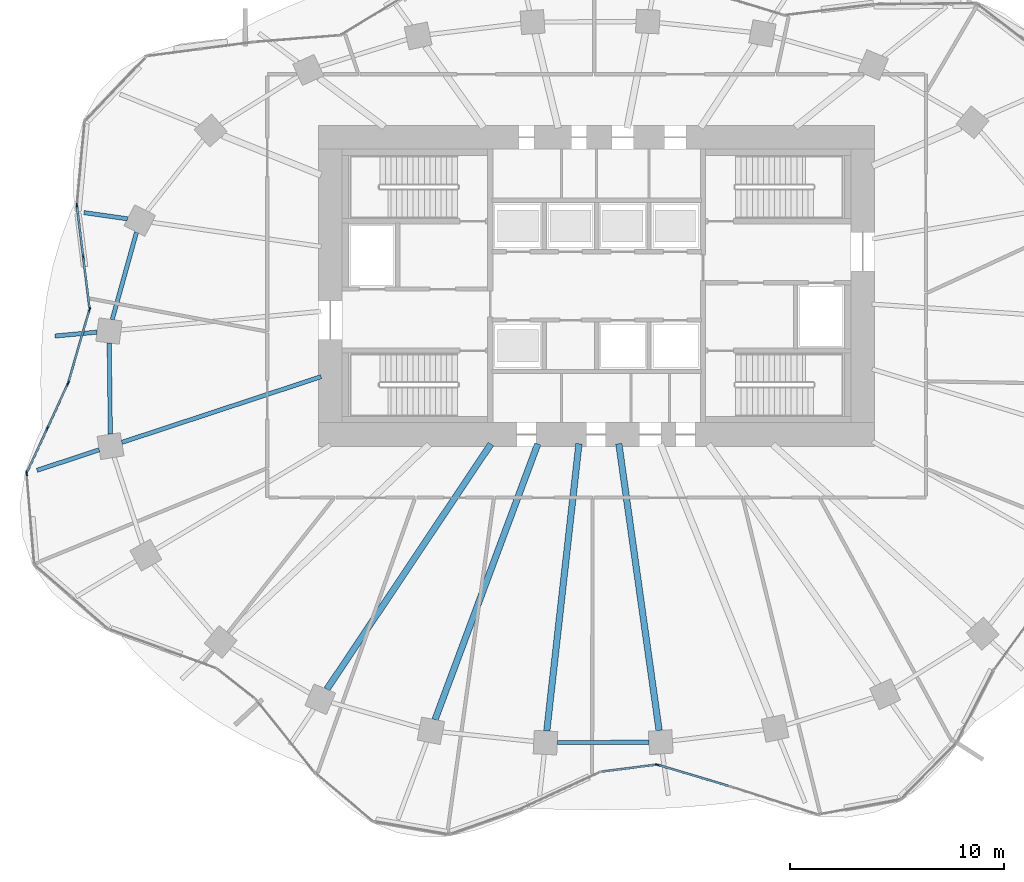
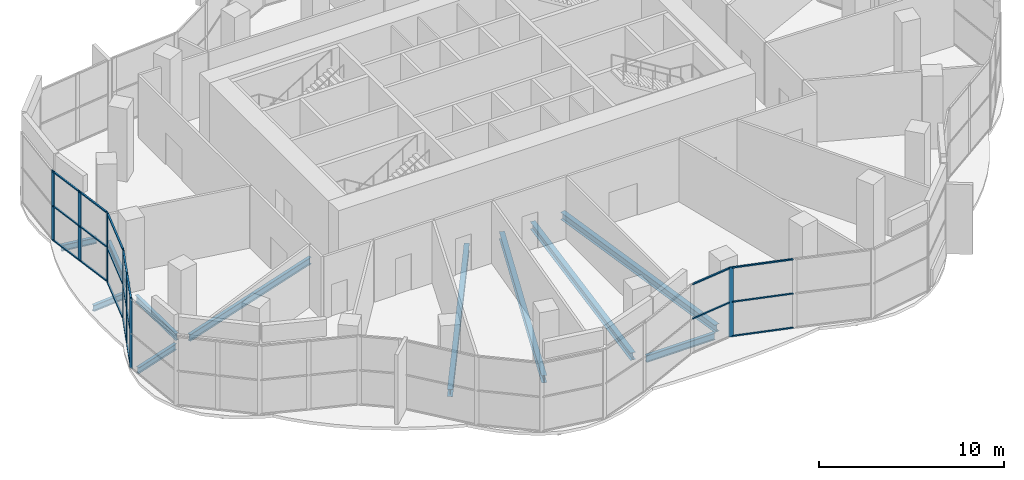
# One storey, part 3 of 16: 27 members, 11 beams, 6 elements without a shape of their own.
"""IFC4 building model written with IfcOpenShell, lengths in metres."""

from ifc_helpers import new_model, si_unit, direction, frame, origin, origin_2d, place, context, subcontext, project, spatial, rectangle, i_section, extrude, material, material_profile, profile_set, type_object, element, aggregate, save


model = new_model("IFC4")

# Units and contexts
model_context = context("Model", 3, precision=1e-05, world=origin(), true_north=direction((0.0, 1.0)))
body_context = subcontext(model_context, "Body", "Model", "MODEL_VIEW")
ifc_project = project(units=[si_unit("LENGTHUNIT", "METRE"), si_unit("AREAUNIT", "SQUARE_METRE"), si_unit("VOLUMEUNIT", "CUBIC_METRE"), si_unit("PLANEANGLEUNIT", "RADIAN"), si_unit("MASSUNIT", "GRAM", prefix="KILO")], contexts=[model_context])

# Site, building, storey
site_placement = place(None, origin())
site = spatial("IfcSite", under=ifc_project, at=site_placement, CompositionType="ELEMENT")
building_placement = place(site_placement, origin())
building = spatial("IfcBuilding", under=site, at=building_placement, Name="Rubra Terraces Tower", CompositionType="ELEMENT")
storey_placement = place(building_placement, frame((0.0, 0.0, 125.699951171875)))
storey = spatial("IfcBuildingStorey", under=building, at=storey_placement, Name="L30", CompositionType="ELEMENT", Elevation=125.699951171875)

# Beams
ifc_material_1 = material(Name="Steel Q355B", Category="steel")
ifc_material_profile_1 = material_profile(ifc_material_1, i_section(OverallWidth=0.199951171875, OverallDepth=0.39990234375, WebThickness=0.008056640625, FlangeThickness=0.012939453125, at=origin_2d()), Name="HN 400x200x8x13")
ifc_profile_set_1 = profile_set([ifc_material_profile_1], Name="Steel Q355B")
beam_type_1 = type_object("IfcBeamType", Name="CANTILEVER BEAM HN 400x200x8x13", PredefinedType="BEAM", material=ifc_profile_set_1)
beam_1_placement = place(storey_placement, frame((-21.94189453125, 7.635986328125, -0.39990234375), z_axis=(-0.989911420912, 0.141687609718, 0.0), x_axis=(-0.141687609718, -0.989911420912, 0.0)))
element("IfcBeam", 1, at=beam_1_placement, inside=storey, type_object=beam_type_1, Name="beam-L30-cant-11", PredefinedType="BEAM", context=body_context, shape_type="SweptSolid", body=[
    extrude(i_section(OverallWidth=0.199951171875, OverallDepth=0.39990234375, WebThickness=0.008056640625, FlangeThickness=0.012939453125, at=origin_2d()), origin(), (0.0, 0.0, 1.0), 2.053955078125),
])
beam_2_placement = place(storey_placement, frame((-23.363037109375, 2.3369140625, -0.39990234375), z_axis=(-0.995752222449, -0.092073402721, 0.0), x_axis=(0.092073402721, -0.995752222449, 0.0)))
element("IfcBeam", 2, at=beam_2_placement, inside=storey, type_object=beam_type_1, Name="beam-L30-cant-12", PredefinedType="BEAM", context=body_context, shape_type="SweptSolid", body=[
    extrude(i_section(OverallWidth=0.199951171875, OverallDepth=0.39990234375, WebThickness=0.008056640625, FlangeThickness=0.012939453125, at=origin_2d()), origin(), (0.0, 0.0, 1.0), 1.975341796875),
])
beam_3_placement = place(storey_placement, frame((-23.262939453125, -3.1669921875, -0.39990234375), z_axis=(-0.949761348488, -0.312975048394, 0.0), x_axis=(0.312975048394, -0.949761348488, 0.0)))
element("IfcBeam", 3, at=beam_3_placement, inside=storey, type_object=beam_type_1, Name="beam-L30-cant-13", PredefinedType="BEAM", context=body_context, shape_type="SweptSolid", body=[
    extrude(i_section(OverallWidth=0.199951171875, OverallDepth=0.39990234375, WebThickness=0.008056640625, FlangeThickness=0.012939453125, at=origin_2d()), origin(), (0.0, 0.0, 1.0), 3.064208984375),
])
ifc_material_profile_2 = material_profile(ifc_material_1, i_section(OverallWidth=0.300048828125, OverallDepth=0.48193359375, WebThickness=0.010986328125, FlangeThickness=0.014892578125, at=origin_2d()), Name="HM 482x300x11x15")
ifc_profile_set_2 = profile_set([ifc_material_profile_2], Name="Steel Q355B")
beam_type_2 = type_object("IfcBeamType", Name="FLOOR BEAM HM 482x300x11x15", PredefinedType="BEAM", material=ifc_profile_set_2)
beam_4_placement = place(storey_placement, frame((-12.615966796875, -14.365966796875, -0.44091796875), z_axis=(0.555900449773, 0.831248873649, 0.0), x_axis=(-0.831248873649, 0.555900449773, 0.0)))
element("IfcBeam", 4, at=beam_4_placement, inside=storey, type_object=beam_type_2, Name="beam-L30-floor-16", PredefinedType="BEAM", context=body_context, shape_type="SweptSolid", body=[
    extrude(i_section(OverallWidth=0.300048828125, OverallDepth=0.48193359375, WebThickness=0.010986328125, FlangeThickness=0.014892578125, at=origin_2d()), origin(), (0.0, 0.0, 1.0), 13.793701171875),
])
beam_5_placement = place(storey_placement, frame((-7.555908203125, -15.783935546875, -0.44091796875), z_axis=(0.349081226263, 0.937092470075, 0.0), x_axis=(-0.937092470075, 0.349081226263, 0.0)))
element("IfcBeam", 5, at=beam_5_placement, inside=storey, type_object=beam_type_2, Name="beam-L30-floor-17", PredefinedType="BEAM", context=body_context, shape_type="SweptSolid", body=[
    extrude(i_section(OverallWidth=0.300048828125, OverallDepth=0.48193359375, WebThickness=0.010986328125, FlangeThickness=0.014892578125, at=origin_2d()), origin(), (0.0, 0.0, 1.0), 13.76171875),
])
beam_6_placement = place(storey_placement, frame((-2.3310546875, -16.31396484375, -0.44091796875), z_axis=(0.111351311584, 0.993781105379, 0.0), x_axis=(-0.993781105379, 0.111351311584, 0.0)))
element("IfcBeam", 6, at=beam_6_placement, inside=storey, type_object=beam_type_2, Name="beam-L30-floor-18", PredefinedType="BEAM", context=body_context, shape_type="SweptSolid", body=[
    extrude(i_section(OverallWidth=0.300048828125, OverallDepth=0.48193359375, WebThickness=0.010986328125, FlangeThickness=0.014892578125, at=origin_2d()), origin(), (0.0, 0.0, 1.0), 13.516845703125),
])
beam_7_placement = place(storey_placement, frame((2.922119140625, -16.2900390625, -0.44091796875), z_axis=(-0.139139078011, 0.990272849759, 0.0), x_axis=(-0.990272849759, -0.139139078011, 0.0)))
element("IfcBeam", 7, at=beam_7_placement, inside=storey, type_object=beam_type_2, Name="beam-L30-floor-19", PredefinedType="BEAM", context=body_context, shape_type="SweptSolid", body=[
    extrude(i_section(OverallWidth=0.300048828125, OverallDepth=0.48193359375, WebThickness=0.010986328125, FlangeThickness=0.014892578125, at=origin_2d()), origin(), (0.0, 0.0, 1.0), 13.54052734375),
])
ifc_material_profile_3 = material_profile(ifc_material_1, i_section(OverallWidth=0.198974609375, OverallDepth=0.446044921875, WebThickness=0.008056640625, FlangeThickness=0.011962890625, at=origin_2d()), Name="HN 446x199x8x12")
ifc_profile_set_3 = profile_set([ifc_material_profile_3], Name="Steel Q355B")
beam_type_3 = type_object("IfcBeamType", Name="FLOOR BEAM HN 446x199x8x12", PredefinedType="BEAM", material=ifc_profile_set_3)
beam_8_placement = place(storey_placement, frame((-22.205078125, -2.819091796875, -0.4228515625), z_axis=(0.949728041792, 0.313076103583, 0.0), x_axis=(-0.313076103583, 0.949728041792, 0.0)))
element("IfcBeam", 8, at=beam_8_placement, inside=storey, type_object=beam_type_3, Name="beam-L30-floor-13", PredefinedType="BEAM", context=body_context, shape_type="SweptSolid", body=[
    extrude(i_section(OverallWidth=0.198974609375, OverallDepth=0.446044921875, WebThickness=0.008056640625, FlangeThickness=0.011962890625, at=origin_2d()), origin(), (0.0, 0.0, 1.0), 9.8125),
])
ifc_material_profile_4 = material_profile(ifc_material_1, i_section(OverallWidth=0.198974609375, OverallDepth=0.446044921875, WebThickness=0.008056640625, FlangeThickness=0.011962890625, at=origin_2d()), Name="HN 446x199x8x12")
ifc_profile_set_4 = profile_set([ifc_material_profile_4], Name="Steel Q355B")
beam_type_4 = type_object("IfcBeamType", Name="SPANDREL BEAM HN 446x199x8x12", PredefinedType="SPANDREL", material=ifc_profile_set_4)
beam_9_placement = place(storey_placement, frame((-21.51708984375, 7.013916015625, -0.4228515625), z_axis=(-0.267626064819, -0.96352285361, 0.0), x_axis=(0.96352285361, -0.267626064819, 0.0)))
element("IfcBeam", 9, at=beam_9_placement, inside=storey, type_object=beam_type_4, Name="beam-L30-spandrel-11", PredefinedType="SPANDREL", context=body_context, shape_type="SweptSolid", body=[
    extrude(i_section(OverallWidth=0.198974609375, OverallDepth=0.446044921875, WebThickness=0.008056640625, FlangeThickness=0.011962890625, at=origin_2d()), origin(), (0.0, 0.0, 1.0), 4.24462890625),
])
beam_10_placement = place(storey_placement, frame((-22.794921875, 1.8330078125, -0.4228515625), z_axis=(0.012634783266, -0.99992017794, 0.0), x_axis=(0.99992017794, 0.012634783266, 0.0)))
element("IfcBeam", 10, at=beam_10_placement, inside=storey, type_object=beam_type_4, Name="beam-L30-spandrel-12", PredefinedType="SPANDREL", context=body_context, shape_type="SweptSolid", body=[
    extrude(i_section(OverallWidth=0.198974609375, OverallDepth=0.446044921875, WebThickness=0.008056640625, FlangeThickness=0.011962890625, at=origin_2d()), origin(), (0.0, 0.0, 1.0), 4.270263671875),
])
beam_11_placement = place(storey_placement, frame((-1.841064453125, -16.85888671875, -0.4228515625), z_axis=(0.999989371096, 0.004610606731, 0.0), x_axis=(-0.004610606731, 0.999989371096, 0.0)))
element("IfcBeam", 11, at=beam_11_placement, inside=storey, type_object=beam_type_4, Name="beam-L30-spandrel-18", PredefinedType="SPANDREL", context=body_context, shape_type="SweptSolid", body=[
    extrude(i_section(OverallWidth=0.198974609375, OverallDepth=0.446044921875, WebThickness=0.008056640625, FlangeThickness=0.011962890625, at=origin_2d()), origin(), (0.0, 0.0, 1.0), 4.2890625),
])

# Curtain wall, members
ifc_material_2 = material(Name="Aluminium and glass", Category="aluminium")
curtain_wall_type = type_object("IfcCurtainWallType", Name="Curtain wall Sky lobby glazing", PredefinedType="NOTDEFINED", material=ifc_material_2)
curtain_wall_1_placement = place(storey_placement, origin())
curtain_wall_1 = element("IfcCurtainWall", 12, at=curtain_wall_1_placement, inside=storey, type_object=curtain_wall_type, Name="L30 glazing bay 19", PredefinedType="NOTDEFINED")
ifc_material_3 = material(Name="Aluminium, anodised dark grey", Category="aluminium")
ifc_material_profile_5 = material_profile(ifc_material_3, rectangle(XDim=0.06005859375, YDim=0.25, at=origin_2d()), Name="AL 60x250")
ifc_profile_set_5 = profile_set([ifc_material_profile_5], Name="Aluminium, anodised dark grey")
member_type_1 = type_object("IfcMemberType", Name="Sky lobby glazing mullion 60 x 250", PredefinedType="MULLION", material=ifc_profile_set_5)
member_1_placement = place(storey_placement, frame((-24.301025390625, 8.235107421875, 0.0), z_axis=(0.0, 0.0, 1.0), x_axis=(0.992489249373, 0.122331884149, 0.0)))
member_1 = element("IfcMember", 13, at=member_1_placement, type_object=member_type_1, Name="CW2 mullion 1", PredefinedType="MULLION", context=body_context, shape_type="SweptSolid", body=[
    extrude(rectangle(XDim=0.06005859375, YDim=0.25, at=origin_2d()), origin(), (0.0, 0.0, 1.0), 4.60009765625),
])
member_2_placement = place(storey_placement, frame((-24.006591796875, 5.84716796875, 0.0), z_axis=(0.0, 0.0, 1.0), x_axis=(0.992489249373, 0.122331884149, 0.0)))
member_2 = element("IfcMember", 14, at=member_2_placement, type_object=member_type_1, Name="CW2 mullion 2", PredefinedType="MULLION", context=body_context, shape_type="SweptSolid", body=[
    extrude(rectangle(XDim=0.06005859375, YDim=0.25, at=origin_2d()), origin(), (0.0, 0.0, 1.0), 4.60009765625),
])

# Curtain wall, member
curtain_wall_2_placement = place(storey_placement, origin())
curtain_wall_2 = element("IfcCurtainWall", 15, at=curtain_wall_2_placement, inside=storey, type_object=curtain_wall_type, Name="L30 glazing bay 20", PredefinedType="NOTDEFINED")
member_3_placement = place(storey_placement, frame((-23.718994140625, 3.37255859375, 0.0), z_axis=(0.0, 0.0, 1.0), x_axis=(0.960256155782, -0.279120252368, 0.0)))
member_3 = element("IfcMember", 16, at=member_3_placement, type_object=member_type_1, Name="CW2 mullion 1", PredefinedType="MULLION", context=body_context, shape_type="SweptSolid", body=[
    extrude(rectangle(XDim=0.06005859375, YDim=0.25, at=origin_2d()), origin(), (0.0, 0.0, 1.0), 4.60009765625),
])

# Curtain wall, members
curtain_wall_3_placement = place(storey_placement, origin())
curtain_wall_3 = element("IfcCurtainWall", 17, at=curtain_wall_3_placement, inside=storey, type_object=curtain_wall_type, Name="L30 glazing bay 21", PredefinedType="NOTDEFINED")
member_4_placement = place(storey_placement, frame((-24.728515625, -0.082763671875, 0.0), z_axis=(0.0, 0.0, 1.0), x_axis=(0.907716184277, -0.419584709924, 0.0)))
member_4 = element("IfcMember", 18, at=member_4_placement, type_object=member_type_1, Name="CW2 mullion 1", PredefinedType="MULLION", context=body_context, shape_type="SweptSolid", body=[
    extrude(rectangle(XDim=0.06005859375, YDim=0.25, at=origin_2d()), origin(), (0.0, 0.0, 1.0), 4.60009765625),
])
member_5_placement = place(storey_placement, frame((-25.688720703125, -2.159912109375, 0.0), z_axis=(0.0, 0.0, 1.0), x_axis=(0.907716184277, -0.419584709924, 0.0)))
member_5 = element("IfcMember", 19, at=member_5_placement, type_object=member_type_1, Name="CW2 mullion 2", PredefinedType="MULLION", context=body_context, shape_type="SweptSolid", body=[
    extrude(rectangle(XDim=0.06005859375, YDim=0.25, at=origin_2d()), origin(), (0.0, 0.0, 1.0), 4.60009765625),
])

# Curtain wall, member
curtain_wall_4_placement = place(storey_placement, origin())
curtain_wall_4 = element("IfcCurtainWall", 20, at=curtain_wall_4_placement, inside=storey, type_object=curtain_wall_type, Name="L30 glazing bay 22", PredefinedType="NOTDEFINED")
member_6_placement = place(storey_placement, frame((-26.65283203125, -4.2578125, 0.0), z_axis=(0.0, 0.0, 1.0), x_axis=(0.996528289056, 0.083254844369, 0.0)))
member_6 = element("IfcMember", 21, at=member_6_placement, type_object=member_type_1, Name="CW2 mullion 1", PredefinedType="MULLION", context=body_context, shape_type="SweptSolid", body=[
    extrude(rectangle(XDim=0.06005859375, YDim=0.25, at=origin_2d()), origin(), (0.0, 0.0, 1.0), 4.60009765625),
])
aggregate(curtain_wall_4, [member_6])

curtain_wall_5_placement = place(storey_placement, origin())
curtain_wall_5 = element("IfcCurtainWall", 22, at=curtain_wall_5_placement, inside=storey, type_object=curtain_wall_type, Name="L30 glazing bay 32", PredefinedType="NOTDEFINED")
member_7_placement = place(storey_placement, frame((2.8642578125, -17.902587890625, 0.0), z_axis=(0.0, 0.0, 1.0), x_axis=(0.285416240809, 0.95840365686, 0.0)))
member_7 = element("IfcMember", 23, at=member_7_placement, type_object=member_type_1, Name="CW2 mullion 1", PredefinedType="MULLION", context=body_context, shape_type="SweptSolid", body=[
    extrude(rectangle(XDim=0.06005859375, YDim=0.25, at=origin_2d()), origin(), (0.0, 0.0, 1.0), 4.60009765625),
])

# Member
ifc_material_profile_6 = material_profile(ifc_material_3, rectangle(XDim=0.10009765625, YDim=0.080078125, at=origin_2d()), Name="AL 100x80")
ifc_profile_set_6 = profile_set([ifc_material_profile_6], Name="Aluminium, anodised dark grey")
member_type_2 = type_object("IfcMemberType", Name="Sky lobby glazing transom 100 x 80", PredefinedType="USERDEFINED", material=ifc_profile_set_6)
member_8_placement = place(storey_placement, frame((-24.29736328125, 8.205322265625, 0.050048828125), z_axis=(0.122382305454, -0.992483033261, 0.0), x_axis=(0.992483033261, 0.122382305454, 0.0)))
member_8 = element("IfcMember", 24, at=member_8_placement, type_object=member_type_2, Name="CW2 transom 1.1", ObjectType="TRANSOM", PredefinedType="USERDEFINED", context=body_context, shape_type="SweptSolid", body=[
    extrude(rectangle(XDim=0.10009765625, YDim=0.080078125, at=origin_2d()), origin(), (0.0, 0.0, 1.0), 2.345947265625),
])

member_9_placement = place(storey_placement, frame((-24.29736328125, 8.205322265625, 2.300048828125), z_axis=(0.122382305454, -0.992483033261, 0.0), x_axis=(0.992483033261, 0.122382305454, 0.0)))
member_9 = element("IfcMember", 25, at=member_9_placement, type_object=member_type_2, Name="CW2 transom 1.2", ObjectType="TRANSOM", PredefinedType="USERDEFINED", context=body_context, shape_type="SweptSolid", body=[
    extrude(rectangle(XDim=0.10009765625, YDim=0.080078125, at=origin_2d()), origin(), (0.0, 0.0, 1.0), 2.345947265625),
])

member_10_placement = place(storey_placement, frame((-24.29736328125, 8.205322265625, 4.550048828125), z_axis=(0.122382305454, -0.992483033261, 0.0), x_axis=(0.992483033261, 0.122382305454, 0.0)))
member_10 = element("IfcMember", 26, at=member_10_placement, type_object=member_type_2, Name="CW2 transom 1.3", ObjectType="TRANSOM", PredefinedType="USERDEFINED", context=body_context, shape_type="SweptSolid", body=[
    extrude(rectangle(XDim=0.10009765625, YDim=0.080078125, at=origin_2d()), origin(), (0.0, 0.0, 1.0), 2.345947265625),
])

member_11_placement = place(storey_placement, frame((-24.0029296875, 5.8173828125, 0.050048828125), z_axis=(0.122382305454, -0.992483033261, 0.0), x_axis=(0.992483033261, 0.122382305454, 0.0)))
member_11 = element("IfcMember", 27, at=member_11_placement, type_object=member_type_2, Name="CW2 transom 2.1", ObjectType="TRANSOM", PredefinedType="USERDEFINED", context=body_context, shape_type="SweptSolid", body=[
    extrude(rectangle(XDim=0.10009765625, YDim=0.080078125, at=origin_2d()), origin(), (0.0, 0.0, 1.0), 2.345947265625),
])

member_12_placement = place(storey_placement, frame((-24.0029296875, 5.8173828125, 2.300048828125), z_axis=(0.122382305454, -0.992483033261, 0.0), x_axis=(0.992483033261, 0.122382305454, 0.0)))
member_12 = element("IfcMember", 28, at=member_12_placement, type_object=member_type_2, Name="CW2 transom 2.2", ObjectType="TRANSOM", PredefinedType="USERDEFINED", context=body_context, shape_type="SweptSolid", body=[
    extrude(rectangle(XDim=0.10009765625, YDim=0.080078125, at=origin_2d()), origin(), (0.0, 0.0, 1.0), 2.345947265625),
])

member_13_placement = place(storey_placement, frame((-24.0029296875, 5.8173828125, 4.550048828125), z_axis=(0.122382305454, -0.992483033261, 0.0), x_axis=(0.992483033261, 0.122382305454, 0.0)))
member_13 = element("IfcMember", 29, at=member_13_placement, type_object=member_type_2, Name="CW2 transom 2.3", ObjectType="TRANSOM", PredefinedType="USERDEFINED", context=body_context, shape_type="SweptSolid", body=[
    extrude(rectangle(XDim=0.10009765625, YDim=0.080078125, at=origin_2d()), origin(), (0.0, 0.0, 1.0), 2.345947265625),
])

aggregate(curtain_wall_1, [member_1, member_2, member_8, member_9, member_10, member_11, member_12, member_13])

member_14_placement = place(storey_placement, frame((-23.727294921875, 3.34375, 0.050048828125), z_axis=(-0.279097079842, -0.9602628911, 0.0), x_axis=(0.9602628911, -0.279097079842, 0.0)))
member_14 = element("IfcMember", 30, at=member_14_placement, type_object=member_type_2, Name="CW2 transom 1.1", ObjectType="TRANSOM", PredefinedType="USERDEFINED", context=body_context, shape_type="SweptSolid", body=[
    extrude(rectangle(XDim=0.10009765625, YDim=0.080078125, at=origin_2d()), origin(), (0.0, 0.0, 1.0), 3.468505859375),
])

member_15_placement = place(storey_placement, frame((-23.727294921875, 3.34375, 2.300048828125), z_axis=(-0.279097079842, -0.9602628911, 0.0), x_axis=(0.9602628911, -0.279097079842, 0.0)))
member_15 = element("IfcMember", 31, at=member_15_placement, type_object=member_type_2, Name="CW2 transom 1.2", ObjectType="TRANSOM", PredefinedType="USERDEFINED", context=body_context, shape_type="SweptSolid", body=[
    extrude(rectangle(XDim=0.10009765625, YDim=0.080078125, at=origin_2d()), origin(), (0.0, 0.0, 1.0), 3.468505859375),
])

member_16_placement = place(storey_placement, frame((-23.727294921875, 3.34375, 4.550048828125), z_axis=(-0.279097079842, -0.9602628911, 0.0), x_axis=(0.9602628911, -0.279097079842, 0.0)))
member_16 = element("IfcMember", 32, at=member_16_placement, type_object=member_type_2, Name="CW2 transom 1.3", ObjectType="TRANSOM", PredefinedType="USERDEFINED", context=body_context, shape_type="SweptSolid", body=[
    extrude(rectangle(XDim=0.10009765625, YDim=0.080078125, at=origin_2d()), origin(), (0.0, 0.0, 1.0), 3.468505859375),
])

aggregate(curtain_wall_2, [member_3, member_14, member_15, member_16])

member_17_placement = place(storey_placement, frame((-24.7412109375, -0.110107421875, 0.050048828125), z_axis=(-0.419565367392, -0.907725124961, 0.0), x_axis=(0.907725124961, -0.419565367392, 0.0)))
member_17 = element("IfcMember", 33, at=member_17_placement, type_object=member_type_2, Name="CW2 transom 1.1", ObjectType="TRANSOM", PredefinedType="USERDEFINED", context=body_context, shape_type="SweptSolid", body=[
    extrude(rectangle(XDim=0.10009765625, YDim=0.080078125, at=origin_2d()), origin(), (0.0, 0.0, 1.0), 2.22802734375),
])

member_18_placement = place(storey_placement, frame((-24.7412109375, -0.110107421875, 2.300048828125), z_axis=(-0.419565367392, -0.907725124961, 0.0), x_axis=(0.907725124961, -0.419565367392, 0.0)))
member_18 = element("IfcMember", 34, at=member_18_placement, type_object=member_type_2, Name="CW2 transom 1.2", ObjectType="TRANSOM", PredefinedType="USERDEFINED", context=body_context, shape_type="SweptSolid", body=[
    extrude(rectangle(XDim=0.10009765625, YDim=0.080078125, at=origin_2d()), origin(), (0.0, 0.0, 1.0), 2.22802734375),
])

member_19_placement = place(storey_placement, frame((-24.7412109375, -0.110107421875, 4.550048828125), z_axis=(-0.419565367392, -0.907725124961, 0.0), x_axis=(0.907725124961, -0.419565367392, 0.0)))
member_19 = element("IfcMember", 35, at=member_19_placement, type_object=member_type_2, Name="CW2 transom 1.3", ObjectType="TRANSOM", PredefinedType="USERDEFINED", context=body_context, shape_type="SweptSolid", body=[
    extrude(rectangle(XDim=0.10009765625, YDim=0.080078125, at=origin_2d()), origin(), (0.0, 0.0, 1.0), 2.22802734375),
])

member_20_placement = place(storey_placement, frame((-25.701171875, -2.18701171875, 0.050048828125), z_axis=(-0.419655647699, -0.90768339048, 0.0), x_axis=(0.90768339048, -0.419655647699, 0.0)))
member_20 = element("IfcMember", 36, at=member_20_placement, type_object=member_type_2, Name="CW2 transom 2.1", ObjectType="TRANSOM", PredefinedType="USERDEFINED", context=body_context, shape_type="SweptSolid", body=[
    extrude(rectangle(XDim=0.10009765625, YDim=0.080078125, at=origin_2d()), origin(), (0.0, 0.0, 1.0), 2.228271484375),
])

member_21_placement = place(storey_placement, frame((-25.701171875, -2.18701171875, 2.300048828125), z_axis=(-0.419655647699, -0.90768339048, 0.0), x_axis=(0.90768339048, -0.419655647699, 0.0)))
member_21 = element("IfcMember", 37, at=member_21_placement, type_object=member_type_2, Name="CW2 transom 2.2", ObjectType="TRANSOM", PredefinedType="USERDEFINED", context=body_context, shape_type="SweptSolid", body=[
    extrude(rectangle(XDim=0.10009765625, YDim=0.080078125, at=origin_2d()), origin(), (0.0, 0.0, 1.0), 2.228271484375),
])

member_22_placement = place(storey_placement, frame((-25.701171875, -2.18701171875, 4.550048828125), z_axis=(-0.419655647699, -0.90768339048, 0.0), x_axis=(0.90768339048, -0.419655647699, 0.0)))
member_22 = element("IfcMember", 38, at=member_22_placement, type_object=member_type_2, Name="CW2 transom 2.3", ObjectType="TRANSOM", PredefinedType="USERDEFINED", context=body_context, shape_type="SweptSolid", body=[
    extrude(rectangle(XDim=0.10009765625, YDim=0.080078125, at=origin_2d()), origin(), (0.0, 0.0, 1.0), 2.228271484375),
])

aggregate(curtain_wall_3, [member_4, member_5, member_17, member_18, member_19, member_20, member_21, member_22])

# Curtain wall, members
curtain_wall_6_placement = place(storey_placement, origin())
curtain_wall_6 = element("IfcCurtainWall", 39, at=curtain_wall_6_placement, inside=storey, type_object=curtain_wall_type, Name="L30 glazing bay 31", PredefinedType="NOTDEFINED")
member_23_placement = place(storey_placement, frame((0.26953125, -18.212890625, 2.300048828125), z_axis=(0.992087173166, 0.125550949177, 0.0), x_axis=(-0.125550949177, 0.992087173166, 0.0)))
member_23 = element("IfcMember", 40, at=member_23_placement, type_object=member_type_2, Name="CW2 transom 1.2", ObjectType="TRANSOM", PredefinedType="USERDEFINED", context=body_context, shape_type="SweptSolid", body=[
    extrude(rectangle(XDim=0.10009765625, YDim=0.080078125, at=origin_2d()), origin(), (0.0, 0.0, 1.0), 2.496826171875),
])
member_24_placement = place(storey_placement, frame((0.26953125, -18.212890625, 4.550048828125), z_axis=(0.992087173166, 0.125550949177, 0.0), x_axis=(-0.125550949177, 0.992087173166, 0.0)))
member_24 = element("IfcMember", 41, at=member_24_placement, type_object=member_type_2, Name="CW2 transom 1.3", ObjectType="TRANSOM", PredefinedType="USERDEFINED", context=body_context, shape_type="SweptSolid", body=[
    extrude(rectangle(XDim=0.10009765625, YDim=0.080078125, at=origin_2d()), origin(), (0.0, 0.0, 1.0), 2.496826171875),
])
aggregate(curtain_wall_6, [member_23, member_24])

# Member
member_25_placement = place(storey_placement, frame((2.89306640625, -17.9111328125, 0.050048828125), z_axis=(0.958411520454, -0.285389834195, 0.0), x_axis=(0.285389834195, 0.958411520454, 0.0)))
member_25 = element("IfcMember", 42, at=member_25_placement, type_object=member_type_2, Name="CW2 transom 1.1", ObjectType="TRANSOM", PredefinedType="USERDEFINED", context=body_context, shape_type="SweptSolid", body=[
    extrude(rectangle(XDim=0.10009765625, YDim=0.080078125, at=origin_2d()), origin(), (0.0, 0.0, 1.0), 3.409912109375),
])

member_26_placement = place(storey_placement, frame((2.89306640625, -17.9111328125, 2.300048828125), z_axis=(0.958411520454, -0.285389834195, 0.0), x_axis=(0.285389834195, 0.958411520454, 0.0)))
member_26 = element("IfcMember", 43, at=member_26_placement, type_object=member_type_2, Name="CW2 transom 1.2", ObjectType="TRANSOM", PredefinedType="USERDEFINED", context=body_context, shape_type="SweptSolid", body=[
    extrude(rectangle(XDim=0.10009765625, YDim=0.080078125, at=origin_2d()), origin(), (0.0, 0.0, 1.0), 3.409912109375),
])

member_27_placement = place(storey_placement, frame((2.89306640625, -17.9111328125, 4.550048828125), z_axis=(0.958411520454, -0.285389834195, 0.0), x_axis=(0.285389834195, 0.958411520454, 0.0)))
member_27 = element("IfcMember", 44, at=member_27_placement, type_object=member_type_2, Name="CW2 transom 1.3", ObjectType="TRANSOM", PredefinedType="USERDEFINED", context=body_context, shape_type="SweptSolid", body=[
    extrude(rectangle(XDim=0.10009765625, YDim=0.080078125, at=origin_2d()), origin(), (0.0, 0.0, 1.0), 3.409912109375),
])

aggregate(curtain_wall_5, [member_7, member_25, member_26, member_27])

save(model, "model.ifc")
